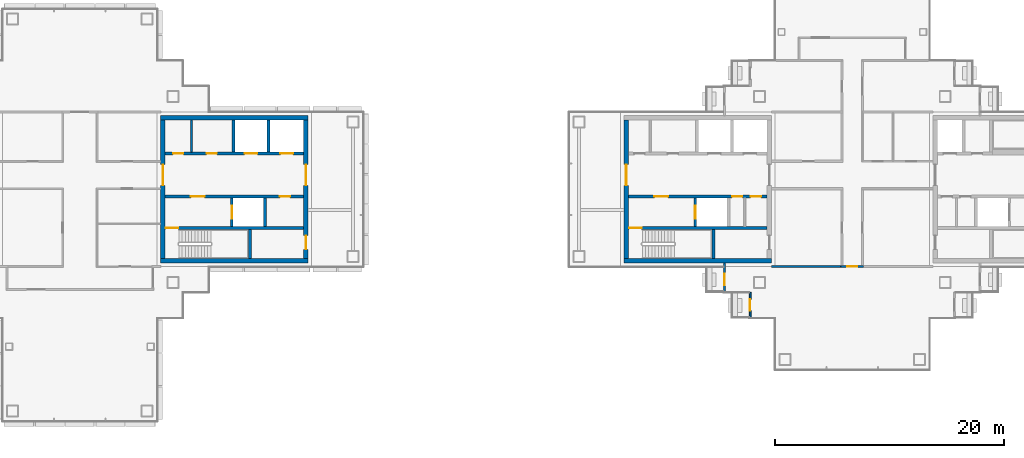
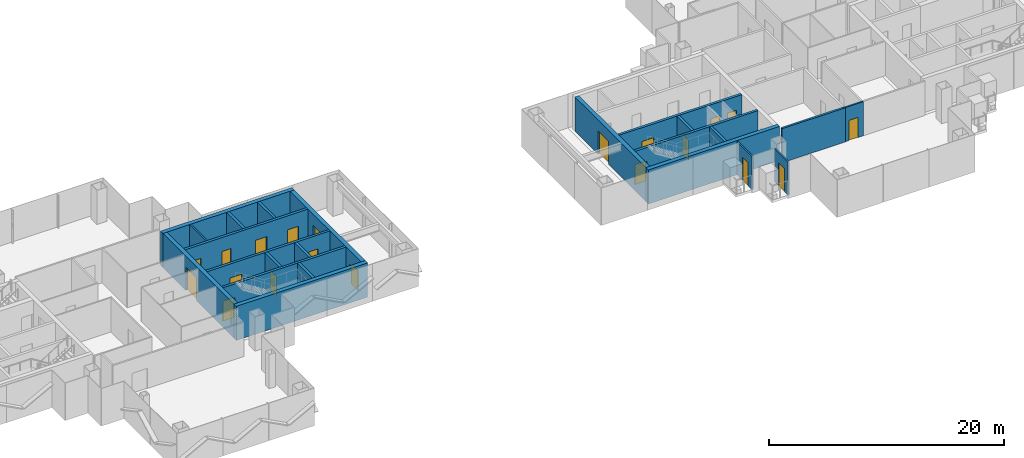
# One storey, part 10 of 17: 23 walls, 20 doors, 20 openings.
"""IFC4 building model written with IfcOpenShell, lengths in metres."""

from ifc_helpers import new_model, si_unit, direction, frame, frame_2d, origin, place, context, subcontext, project, spatial, rectangle, extrude, material, layer, layer_set, type_object, element, fill, save


model = new_model("IFC4")

# Units and contexts
model_context = context("Model", 3, precision=1e-05, world=origin(), true_north=direction((0.0, 1.0)))
body_context = subcontext(model_context, "Body", "Model", "MODEL_VIEW")
ifc_project = project(units=[si_unit("LENGTHUNIT", "METRE"), si_unit("AREAUNIT", "SQUARE_METRE"), si_unit("VOLUMEUNIT", "CUBIC_METRE"), si_unit("PLANEANGLEUNIT", "RADIAN"), si_unit("MASSUNIT", "GRAM", prefix="KILO")], contexts=[model_context])

# Site, building, storey
site_placement = place(None, origin())
site = spatial("IfcSite", under=ifc_project, at=site_placement, CompositionType="ELEMENT")
building_placement = place(site_placement, origin())
building = spatial("IfcBuilding", under=site, at=building_placement, Name="Shamsa Quay Exchange Towers", CompositionType="ELEMENT")
storey_placement = place(building_placement, frame((0.0, 0.0, 194.39990234375)))
storey = spatial("IfcBuildingStorey", under=building, at=storey_placement, Name="L46", CompositionType="ELEMENT", Elevation=194.39990234375)

# Wall, opening, door
ifc_material_1 = material(Name="Aluminium EN AW-6063 T6, black anodised, with black enamelled glass infill", Category="aluminium")
ifc_layer_1 = layer(ifc_material_1, 0.14990234375)
ifc_layer_set_1 = layer_set([ifc_layer_1], Name="BALCONY DOOR BAY WALL 150")
wall_type_1 = type_object("IfcWallType", Name="BALCONY DOOR BAY WALL 150", PredefinedType="SOLIDWALL", material=ifc_layer_set_1)
wall_1_placement = place(storey_placement, frame((22.574951171875, -9.0, 0.0), z_axis=(0.0, 0.0, 1.0), x_axis=(0.0, 1.0, 0.0)))
wall_1 = element("IfcWall", 1, at=wall_1_placement, inside=storey, type_object=wall_type_1, Name="Door bay T2-PKWN L46", PredefinedType="SOLIDWALL", context=body_context, shape_type="SweptSolid", body=[
    extrude(rectangle(XDim=2.556884765625, YDim=0.14990234375, at=frame_2d((1.2783203125, 0.0))), origin(), (0.0, 0.0, 1.0), 3.4501953125),
])
opening_1_placement = place(wall_1_placement, frame((0.625, 0.0, 0.0)))
opening_1 = element("IfcOpeningElement", 2, at=opening_1_placement, cuts=wall_1, Name="Opening XD301", PredefinedType="OPENING", context=body_context, shape_type="SweptSolid", body=[
    extrude(rectangle(XDim=1.0, YDim=2.39990234375, at=frame_2d((0.5, 1.199951171875))), frame((0.0, 0.0849609375, 0.0), z_axis=(0.0, -1.0, 0.0), x_axis=(1.0, 0.0, 0.0)), (0.0, 0.0, 1.0), 0.169921875),
])
ifc_material_2 = material(Name="Aluminium EN AW-6063 T6, black anodised, with laminated glass leaf", Category="aluminium")
door_type_1 = type_object("IfcDoorType", Name="BALCONY DOOR 1000x2400", OperationType="SINGLE_SWING_LEFT", PredefinedType="DOOR", material=ifc_material_2)
door_1_placement = place(opening_1_placement, origin())
door_1 = element("IfcDoor", 3, at=door_1_placement, inside=storey, type_object=door_type_1, Name="Balcony door T2-PKWN L46", OperationType="SINGLE_SWING_LEFT", OverallHeight=2.39990234375, OverallWidth=1.0, PredefinedType="DOOR", context=body_context, shape_type="SweptSolid", body=[
    extrude(rectangle(XDim=1.0, YDim=2.39990234375, at=frame_2d((0.5, 1.199951171875))), frame((0.0, 0.02490234375, 0.0), z_axis=(0.0, -1.0, 0.0), x_axis=(1.0, 0.0, 0.0)), (0.0, 0.0, 1.0), 0.050048828125),
])
fill(opening_1, door_1)

wall_2_placement = place(storey_placement, frame((24.824951171875, -11.25, 0.0), z_axis=(0.0, 0.0, 1.0), x_axis=(0.0, 1.0, 0.0)))
wall_2 = element("IfcWall", 4, at=wall_2_placement, inside=storey, type_object=wall_type_1, Name="Door bay T2-PKWN L46", PredefinedType="SOLIDWALL", context=body_context, shape_type="SweptSolid", body=[
    extrude(rectangle(XDim=2.25, YDim=0.14990234375, at=frame_2d((1.125, 0.0))), origin(), (0.0, 0.0, 1.0), 3.4501953125),
])
opening_2_placement = place(wall_2_placement, frame((0.625, 0.0, 0.0)))
opening_2 = element("IfcOpeningElement", 5, at=opening_2_placement, cuts=wall_2, Name="Opening XD302", PredefinedType="OPENING", context=body_context, shape_type="SweptSolid", body=[
    extrude(rectangle(XDim=1.0, YDim=2.39990234375, at=frame_2d((0.5, 1.199951171875))), frame((0.0, 0.0849609375, 0.0), z_axis=(0.0, -1.0, 0.0), x_axis=(1.0, 0.0, 0.0)), (0.0, 0.0, 1.0), 0.169921875),
])
door_2_placement = place(opening_2_placement, origin())
door_2 = element("IfcDoor", 6, at=door_2_placement, inside=storey, type_object=door_type_1, Name="Balcony door T2-PKWN L46", OperationType="SINGLE_SWING_RIGHT", OverallHeight=2.39990234375, OverallWidth=1.0, PredefinedType="DOOR", context=body_context, shape_type="SweptSolid", body=[
    extrude(rectangle(XDim=1.0, YDim=2.39990234375, at=frame_2d((0.5, 1.199951171875))), frame((0.0, 0.02490234375, 0.0), z_axis=(0.0, -1.0, 0.0), x_axis=(1.0, 0.0, 0.0)), (0.0, 0.0, 1.0), 0.050048828125),
])
fill(opening_2, door_2)

# Walls
ifc_material_3 = material(Name="Concrete C60/75", Category="concrete")
ifc_layer_2 = layer(ifc_material_3, 0.39990234375)
ifc_layer_set_2 = layer_set([ifc_layer_2], Name="CORE WALL 400 C60/75")
wall_type_2 = type_object("IfcWallType", Name="CORE WALL 400 C60/75", PredefinedType="SHEAR", material=ifc_layer_set_2)
for number, where, name in (
    (7, (-26.699951171875, -6.25, 0.0), "Core wall T1A-R21-PS"),
    (8, (-26.699951171875, 6.25, 0.0), "Core wall T1A-R21-PN"),
):
    element("IfcWall", number, at=place(storey_placement, frame(where)), inside=storey, type_object=wall_type_2, Name=name, PredefinedType="SHEAR", context=body_context, shape_type="SweptSolid", body=[
        extrude(rectangle(XDim=12.89990234375, YDim=0.39990234375, at=frame_2d((6.449951171875, 0.0))), origin(), (0.0, 0.0, 1.0), 3.550048828125),
    ])

# Wall, opening, door
wall_3_placement = place(storey_placement, frame((-26.5, 6.050048828125, 0.0), z_axis=(0.0, 0.0, 1.0), x_axis=(0.0, -1.0, 0.0)))
wall_3 = element("IfcWall", 9, at=wall_3_placement, inside=storey, type_object=wall_type_2, Name="Core wall T1A-R21-PF", PredefinedType="SHEAR", context=body_context, shape_type="SweptSolid", body=[
    extrude(rectangle(XDim=12.10009765625, YDim=0.39990234375, at=frame_2d((6.050048828125, 0.0))), origin(), (0.0, 0.0, 1.0), 3.550048828125),
])
opening_3_placement = place(wall_3_placement, frame((3.89990234375, 0.0, 0.0)))
opening_3 = element("IfcOpeningElement", 10, at=opening_3_placement, cuts=wall_3, Name="Opening T1A-R21-LBD01", PredefinedType="OPENING", context=body_context, shape_type="SweptSolid", body=[
    extrude(rectangle(XDim=1.800048828125, YDim=2.39990234375, at=frame_2d((0.89990234375, 1.199951171875))), frame((0.0, 0.2099609375, 0.0), z_axis=(0.0, -1.0, 0.0), x_axis=(1.0, 0.0, 0.0)), (0.0, 0.0, 1.0), 0.419921875),
])
ifc_material_4 = material(Name="Steel, fire rated", Category="steel")
door_type_2 = type_object("IfcDoorType", Name="LIFT LOBBY DOOR PAIR 1800", OperationType="DOUBLE_DOOR_SINGLE_SWING", PredefinedType="DOOR", material=ifc_material_4)
door_3_placement = place(opening_3_placement, origin())
door_3 = element("IfcDoor", 11, at=door_3_placement, inside=storey, type_object=door_type_2, Name="T1A-R21-LBD01", OperationType="DOUBLE_DOOR_SINGLE_SWING", OverallHeight=2.39990234375, OverallWidth=1.800048828125, PredefinedType="DOOR", context=body_context, shape_type="SweptSolid", body=[
    extrude(rectangle(XDim=1.800048828125, YDim=2.39990234375, at=frame_2d((0.89990234375, 1.199951171875))), frame((0.0, 0.02490234375, 0.0), z_axis=(0.0, -1.0, 0.0), x_axis=(1.0, 0.0, 0.0)), (0.0, 0.0, 1.0), 0.050048828125),
])
fill(opening_3, door_3)

# Wall, openings, doors
wall_4_placement = place(storey_placement, frame((-14.0, 6.050048828125, 0.0), z_axis=(0.0, 0.0, 1.0), x_axis=(0.0, -1.0, 0.0)))
wall_4 = element("IfcWall", 12, at=wall_4_placement, inside=storey, type_object=wall_type_2, Name="Core wall T1A-R21-PB", PredefinedType="SHEAR", context=body_context, shape_type="SweptSolid", body=[
    extrude(rectangle(XDim=12.10009765625, YDim=0.39990234375, at=frame_2d((6.050048828125, 0.0))), origin(), (0.0, 0.0, 1.0), 3.550048828125),
])
opening_4_placement = place(wall_4_placement, frame((10.10009765625, 0.0, 0.0)))
opening_4 = element("IfcOpeningElement", 13, at=opening_4_placement, cuts=wall_4, Name="Opening T1A-R21-RD02", PredefinedType="OPENING", context=body_context, shape_type="SweptSolid", body=[
    extrude(rectangle(XDim=1.199951171875, YDim=2.10009765625, at=frame_2d((0.60009765625, 1.050048828125))), frame((0.0, 0.2099609375, 0.0), z_axis=(0.0, -1.0, 0.0), x_axis=(1.0, 0.0, 0.0)), (0.0, 0.0, 1.0), 0.419921875),
])
opening_5_placement = place(wall_4_placement, frame((3.89990234375, 0.0, 0.0)))
opening_5 = element("IfcOpeningElement", 14, at=opening_5_placement, cuts=wall_4, Name="Opening T1A-R21-LBD03", PredefinedType="OPENING", context=body_context, shape_type="SweptSolid", body=[
    extrude(rectangle(XDim=1.800048828125, YDim=2.39990234375, at=frame_2d((0.89990234375, 1.199951171875))), frame((0.0, 0.2099609375, 0.0), z_axis=(0.0, -1.0, 0.0), x_axis=(1.0, 0.0, 0.0)), (0.0, 0.0, 1.0), 0.419921875),
])
door_4_placement = place(opening_5_placement, origin())
door_4 = element("IfcDoor", 15, at=door_4_placement, inside=storey, type_object=door_type_2, Name="T1A-R21-LBD03", OperationType="DOUBLE_DOOR_SINGLE_SWING", OverallHeight=2.39990234375, OverallWidth=1.800048828125, PredefinedType="DOOR", context=body_context, shape_type="SweptSolid", body=[
    extrude(rectangle(XDim=1.800048828125, YDim=2.39990234375, at=frame_2d((0.89990234375, 1.199951171875))), frame((0.0, 0.02490234375, 0.0), z_axis=(0.0, -1.0, 0.0), x_axis=(1.0, 0.0, 0.0)), (0.0, 0.0, 1.0), 0.050048828125),
])
fill(opening_5, door_4)
door_type_3 = type_object("IfcDoorType", Name="RISER ACCESS DOOR 1200", OperationType="SINGLE_SWING_LEFT", PredefinedType="DOOR", material=ifc_material_4)
door_5_placement = place(opening_4_placement, origin())
door_5 = element("IfcDoor", 16, at=door_5_placement, inside=storey, type_object=door_type_3, Name="T1A-R21-RD02", OperationType="SINGLE_SWING_RIGHT", OverallHeight=2.10009765625, OverallWidth=1.199951171875, PredefinedType="DOOR", context=body_context, shape_type="SweptSolid", body=[
    extrude(rectangle(XDim=1.199951171875, YDim=2.10009765625, at=frame_2d((0.60009765625, 1.050048828125))), frame((0.0, 0.02490234375, 0.0), z_axis=(0.0, -1.0, 0.0), x_axis=(1.0, 0.0, 0.0)), (0.0, 0.0, 1.0), 0.050048828125),
])
fill(opening_4, door_5)

# Wall
wall_5_placement = place(storey_placement, frame((13.800048828125, -6.25, 0.0)))
element("IfcWall", 17, at=wall_5_placement, inside=storey, type_object=wall_type_2, Name="Core wall T2A-R21-PS", PredefinedType="SHEAR", context=body_context, shape_type="SweptSolid", body=[
    extrude(rectangle(XDim=12.89990234375, YDim=0.39990234375, at=frame_2d((6.449951171875, 0.0))), origin(), (0.0, 0.0, 1.0), 3.550048828125),
])

# Wall, opening, door
wall_6_placement = place(storey_placement, frame((14.0, 6.050048828125, 0.0), z_axis=(0.0, 0.0, 1.0), x_axis=(0.0, -1.0, 0.0)))
wall_6 = element("IfcWall", 18, at=wall_6_placement, inside=storey, type_object=wall_type_2, Name="Core wall T2A-R21-PF", PredefinedType="SHEAR", context=body_context, shape_type="SweptSolid", body=[
    extrude(rectangle(XDim=12.10009765625, YDim=0.39990234375, at=frame_2d((6.050048828125, 0.0))), origin(), (0.0, 0.0, 1.0), 3.550048828125),
])
opening_6_placement = place(wall_6_placement, frame((3.89990234375, 0.0, 0.0)))
opening_6 = element("IfcOpeningElement", 19, at=opening_6_placement, cuts=wall_6, Name="Opening T2A-R21-LBD01", PredefinedType="OPENING", context=body_context, shape_type="SweptSolid", body=[
    extrude(rectangle(XDim=1.800048828125, YDim=2.39990234375, at=frame_2d((0.89990234375, 1.199951171875))), frame((0.0, 0.2099609375, 0.0), z_axis=(0.0, -1.0, 0.0), x_axis=(1.0, 0.0, 0.0)), (0.0, 0.0, 1.0), 0.419921875),
])
door_6_placement = place(opening_6_placement, origin())
door_6 = element("IfcDoor", 20, at=door_6_placement, inside=storey, type_object=door_type_2, Name="T2A-R21-LBD01", OperationType="DOUBLE_DOOR_SINGLE_SWING", OverallHeight=2.39990234375, OverallWidth=1.800048828125, PredefinedType="DOOR", context=body_context, shape_type="SweptSolid", body=[
    extrude(rectangle(XDim=1.800048828125, YDim=2.39990234375, at=frame_2d((0.89990234375, 1.199951171875))), frame((0.0, 0.02490234375, 0.0), z_axis=(0.0, -1.0, 0.0), x_axis=(1.0, 0.0, 0.0)), (0.0, 0.0, 1.0), 0.050048828125),
])
fill(opening_6, door_6)

# Wall
ifc_material_5 = material(Name="Gypsum board on steel studs, EI 60", Category="steel")
ifc_layer_3 = layer(ifc_material_5, 0.14990234375)
ifc_layer_set_3 = layer_set([ifc_layer_3], Name="FIRE PARTITION 150")
wall_type_3 = type_object("IfcWallType", Name="FIRE PARTITION 150", PredefinedType="PARTITIONING", material=ifc_layer_set_3)
wall_7_placement = place(storey_placement, frame((-24.0, 3.25, 0.0), z_axis=(0.0, 0.0, 1.0), x_axis=(0.0, 1.0, 0.0)))
element("IfcWall", 21, at=wall_7_placement, inside=storey, type_object=wall_type_3, Name="Partition T1A-R21-FC0", PredefinedType="PARTITIONING", context=body_context, shape_type="SweptSolid", body=[
    extrude(rectangle(XDim=2.800048828125, YDim=0.14990234375, at=frame_2d((1.39990234375, 0.0))), origin(), (0.0, 0.0, 1.0), 3.550048828125),
])

# Wall, opening, door
ifc_material_6 = material(Name="Gypsum board partition on metal studs")
ifc_layer_4 = layer(ifc_material_6, 0.14990234375)
ifc_layer_set_4 = layer_set([ifc_layer_4], Name="Partition 150 mm EI 60")
wall_type_4 = type_object("IfcWallType", Name="Partition 150 mm EI 60", PredefinedType="PARTITIONING", material=ifc_layer_set_4)
wall_8_placement = place(storey_placement, frame((34.725341796875, -6.75, 0.0), z_axis=(0.0, 0.0, 1.0), x_axis=(-1.0, 0.0, 0.0)))
wall_8 = element("IfcWall", 22, at=wall_8_placement, inside=storey, type_object=wall_type_4, Name="Partition T2-R21-W16", PredefinedType="PARTITIONING", context=body_context, shape_type="SweptSolid", body=[
    extrude(rectangle(XDim=1.975830078125, YDim=0.14990234375, at=frame_2d((0.98779296875, 0.0))), origin(), (0.0, 0.0, 1.0), 3.550048828125),
])
opening_7_placement = place(wall_8_placement, frame((0.525390625, 0.0, 0.0)))
opening_7 = element("IfcOpeningElement", 23, at=opening_7_placement, cuts=wall_8, Name="Opening T2-R21-D06", PredefinedType="OPENING", context=body_context, shape_type="SweptSolid", body=[
    extrude(rectangle(XDim=0.89990234375, YDim=2.10009765625, at=frame_2d((0.449951171875, 1.050048828125))), frame((0.0, 0.0849609375, 0.0), z_axis=(0.0, -1.0, 0.0), x_axis=(1.0, 0.0, 0.0)), (0.0, 0.0, 1.0), 0.169921875),
])
ifc_material_7 = material(Name="Timber door leaf in a metal frame", Category="wood")
door_type_4 = type_object("IfcDoorType", Name="Door 900x2100 FD30S", OperationType="NOTDEFINED", PredefinedType="DOOR", material=ifc_material_7)
door_7_placement = place(opening_7_placement, origin())
door_7 = element("IfcDoor", 24, at=door_7_placement, inside=storey, type_object=door_type_4, Name="Door T2-R21-D06", OperationType="SINGLE_SWING_LEFT", OverallHeight=2.10009765625, OverallWidth=0.89990234375, PredefinedType="DOOR", context=body_context, shape_type="SweptSolid", body=[
    extrude(rectangle(XDim=0.89990234375, YDim=2.10009765625, at=frame_2d((0.449951171875, 1.050048828125))), frame((0.0, 0.02490234375, 0.0), z_axis=(0.0, -1.0, 0.0), x_axis=(1.0, 0.0, 0.0)), (0.0, 0.0, 1.0), 0.050048828125),
])
fill(opening_7, door_7)

# Wall
ifc_layer_5 = layer(ifc_material_6, 0.199951171875)
ifc_layer_set_5 = layer_set([ifc_layer_5], Name="Partition 200 mm EI 120")
wall_type_5 = type_object("IfcWallType", Name="Partition 200 mm EI 120", PredefinedType="PARTITIONING", material=ifc_layer_set_5)
wall_9_placement = place(storey_placement, frame((26.699951171875, -6.75, 0.0)))
element("IfcWall", 25, at=wall_9_placement, inside=storey, type_object=wall_type_5, Name="Partition T2-R21-W18", PredefinedType="PARTITIONING", context=body_context, shape_type="SweptSolid", body=[
    extrude(rectangle(XDim=6.249755859375, YDim=0.199951171875, at=frame_2d((3.125, 0.0))), origin(), (0.0, 0.0, 1.0), 3.550048828125),
])

# Wall, opening, door
ifc_material_8 = material(Name="Concrete C50/60", Category="concrete")
ifc_layer_6 = layer(ifc_material_8, 0.25)
ifc_layer_set_6 = layer_set([ifc_layer_6], Name="SHAFT WALL 250 C50/60")
wall_type_6 = type_object("IfcWallType", Name="SHAFT WALL 250 C50/60", PredefinedType="SHEAR", material=ifc_layer_set_6)
wall_10_placement = place(storey_placement, frame((-14.199951171875, -3.375, 0.0), z_axis=(0.0, 0.0, 1.0), x_axis=(-1.0, 0.0, 0.0)))
wall_10 = element("IfcWall", 26, at=wall_10_placement, inside=storey, type_object=wall_type_6, Name="Shaft wall T1A-R21-STL", PredefinedType="SHEAR", context=body_context, shape_type="SweptSolid", body=[
    extrude(rectangle(XDim=12.10009765625, YDim=0.25, at=frame_2d((6.050048828125, 0.0))), origin(), (0.0, 0.0, 1.0), 3.550048828125),
])
opening_8_placement = place(wall_10_placement, frame((10.949951171875, 0.0, 0.0)))
opening_8 = element("IfcOpeningElement", 27, at=opening_8_placement, cuts=wall_10, Name="Opening T1A-R21-SD04", PredefinedType="OPENING", context=body_context, shape_type="SweptSolid", body=[
    extrude(rectangle(XDim=1.10009765625, YDim=2.10009765625, at=frame_2d((0.550048828125, 1.050048828125))), frame((0.0, 0.135009765625, 0.0), z_axis=(0.0, -1.0, 0.0), x_axis=(1.0, 0.0, 0.0)), (0.0, 0.0, 1.0), 0.27001953125),
])
door_type_5 = type_object("IfcDoorType", Name="STAIR DOOR 1100", OperationType="SINGLE_SWING_LEFT", PredefinedType="DOOR", material=ifc_material_4)
door_8_placement = place(opening_8_placement, origin())
door_8 = element("IfcDoor", 28, at=door_8_placement, inside=storey, type_object=door_type_5, Name="T1A-R21-SD04", OperationType="SINGLE_SWING_RIGHT", OverallHeight=2.10009765625, OverallWidth=1.10009765625, PredefinedType="DOOR", context=body_context, shape_type="SweptSolid", body=[
    extrude(rectangle(XDim=1.10009765625, YDim=2.10009765625, at=frame_2d((0.550048828125, 1.050048828125))), frame((0.0, 0.02490234375, 0.0), z_axis=(0.0, -1.0, 0.0), x_axis=(1.0, 0.0, 0.0)), (0.0, 0.0, 1.0), 0.050048828125),
])
fill(opening_8, door_8)

# Wall
wall_11_placement = place(storey_placement, frame((-18.875, -6.050048828125, 0.0), z_axis=(0.0, 0.0, 1.0), x_axis=(0.0, 1.0, 0.0)))
element("IfcWall", 29, at=wall_11_placement, inside=storey, type_object=wall_type_6, Name="Shaft wall T1A-R21-STF", PredefinedType="SHEAR", context=body_context, shape_type="SweptSolid", body=[
    extrude(rectangle(XDim=2.550048828125, YDim=0.25, at=frame_2d((1.27490234375, 0.0))), origin(), (0.0, 0.0, 1.0), 3.550048828125),
])

# Wall, openings, doors
wall_12_placement = place(storey_placement, frame((-14.199951171875, -0.625, 0.0), z_axis=(0.0, 0.0, 1.0), x_axis=(-1.0, 0.0, 0.0)))
wall_12 = element("IfcWall", 30, at=wall_12_placement, inside=storey, type_object=wall_type_6, Name="Shaft wall T1A-R21-B", PredefinedType="SHEAR", context=body_context, shape_type="SweptSolid", body=[
    extrude(rectangle(XDim=12.10009765625, YDim=0.25, at=frame_2d((6.050048828125, 0.0))), origin(), (0.0, 0.0, 1.0), 3.550048828125),
])
opening_9_placement = place(wall_12_placement, frame((8.64990234375, 0.0, 0.0)))
opening_9 = element("IfcOpeningElement", 31, at=opening_9_placement, cuts=wall_12, Name="Opening T1A-R21-FD05", PredefinedType="OPENING", context=body_context, shape_type="SweptSolid", body=[
    extrude(rectangle(XDim=1.199951171875, YDim=2.10009765625, at=frame_2d((0.60009765625, 1.050048828125))), frame((0.0, 0.135009765625, 0.0), z_axis=(0.0, -1.0, 0.0), x_axis=(1.0, 0.0, 0.0)), (0.0, 0.0, 1.0), 0.27001953125),
])
opening_10_placement = place(wall_12_placement, frame((1.175048828125, 0.0, 0.0)))
opening_10 = element("IfcOpeningElement", 32, at=opening_10_placement, cuts=wall_12, Name="Opening T1A-R21-SV06", PredefinedType="OPENING", context=body_context, shape_type="SweptSolid", body=[
    extrude(rectangle(XDim=0.89990234375, YDim=2.10009765625, at=frame_2d((0.449951171875, 1.050048828125))), frame((0.0, 0.135009765625, 0.0), z_axis=(0.0, -1.0, 0.0), x_axis=(1.0, 0.0, 0.0)), (0.0, 0.0, 1.0), 0.27001953125),
])
door_type_6 = type_object("IfcDoorType", Name="FIRE SERVICE LOBBY DOOR 1200", OperationType="SINGLE_SWING_LEFT", PredefinedType="DOOR", material=ifc_material_4)
door_9_placement = place(opening_9_placement, origin())
door_9 = element("IfcDoor", 33, at=door_9_placement, inside=storey, type_object=door_type_6, Name="T1A-R21-FD05", OperationType="SINGLE_SWING_RIGHT", OverallHeight=2.10009765625, OverallWidth=1.199951171875, PredefinedType="DOOR", context=body_context, shape_type="SweptSolid", body=[
    extrude(rectangle(XDim=1.199951171875, YDim=2.10009765625, at=frame_2d((0.60009765625, 1.050048828125))), frame((0.0, 0.02490234375, 0.0), z_axis=(0.0, -1.0, 0.0), x_axis=(1.0, 0.0, 0.0)), (0.0, 0.0, 1.0), 0.050048828125),
])
fill(opening_9, door_9)
door_type_7 = type_object("IfcDoorType", Name="SERVICE ROOM DOOR 900", OperationType="SINGLE_SWING_LEFT", PredefinedType="DOOR", material=ifc_material_4)
door_10_placement = place(opening_10_placement, origin())
door_10 = element("IfcDoor", 34, at=door_10_placement, inside=storey, type_object=door_type_7, Name="T1A-R21-SV06", OperationType="SINGLE_SWING_LEFT", OverallHeight=2.10009765625, OverallWidth=0.89990234375, PredefinedType="DOOR", context=body_context, shape_type="SweptSolid", body=[
    extrude(rectangle(XDim=0.89990234375, YDim=2.10009765625, at=frame_2d((0.449951171875, 1.050048828125))), frame((0.0, 0.02490234375, 0.0), z_axis=(0.0, -1.0, 0.0), x_axis=(1.0, 0.0, 0.0)), (0.0, 0.0, 1.0), 0.050048828125),
])
fill(opening_10, door_10)

# Wall, opening, door
wall_13_placement = place(storey_placement, frame((-20.47509765625, -3.25, 0.0), z_axis=(0.0, 0.0, 1.0), x_axis=(0.0, 1.0, 0.0)))
wall_13 = element("IfcWall", 35, at=wall_13_placement, inside=storey, type_object=wall_type_6, Name="Shaft wall T1A-R21-FFF", PredefinedType="SHEAR", context=body_context, shape_type="SweptSolid", body=[
    extrude(rectangle(XDim=2.5, YDim=0.25, at=frame_2d((1.25, 0.0))), origin(), (0.0, 0.0, 1.0), 3.550048828125),
])
opening_11_placement = place(wall_13_placement, frame((0.699951171875, 0.0, 0.0)))
opening_11 = element("IfcOpeningElement", 36, at=opening_11_placement, cuts=wall_13, Name="Opening T1A-R21-LDF07", PredefinedType="OPENING", context=body_context, shape_type="SweptSolid", body=[
    extrude(rectangle(XDim=1.10009765625, YDim=2.10009765625, at=frame_2d((0.550048828125, 1.050048828125))), frame((0.0, 0.135009765625, 0.0), z_axis=(0.0, -1.0, 0.0), x_axis=(1.0, 0.0, 0.0)), (0.0, 0.0, 1.0), 0.27001953125),
])
door_type_8 = type_object("IfcDoorType", Name="FIRE SERVICE LANDING DOOR 1100", OperationType="SLIDING_TO_LEFT", PredefinedType="DOOR", material=ifc_material_4)
door_11_placement = place(opening_11_placement, origin())
door_11 = element("IfcDoor", 37, at=door_11_placement, inside=storey, type_object=door_type_8, Name="T1A-R21-LDF07", OperationType="SLIDING_TO_LEFT", OverallHeight=2.10009765625, OverallWidth=1.10009765625, PredefinedType="DOOR", context=body_context, shape_type="SweptSolid", body=[
    extrude(rectangle(XDim=1.10009765625, YDim=2.10009765625, at=frame_2d((0.550048828125, 1.050048828125))), frame((0.0, 0.02490234375, 0.0), z_axis=(0.0, -1.0, 0.0), x_axis=(1.0, 0.0, 0.0)), (0.0, 0.0, 1.0), 0.050048828125),
])
fill(opening_11, door_11)

# Wall
wall_14_placement = place(storey_placement, frame((-17.574951171875, -3.25, 0.0), z_axis=(0.0, 0.0, 1.0), x_axis=(0.0, 1.0, 0.0)))
element("IfcWall", 38, at=wall_14_placement, inside=storey, type_object=wall_type_6, Name="Shaft wall T1A-R21-FFB", PredefinedType="SHEAR", context=body_context, shape_type="SweptSolid", body=[
    extrude(rectangle(XDim=2.5, YDim=0.25, at=frame_2d((1.25, 0.0))), origin(), (0.0, 0.0, 1.0), 3.550048828125),
])

# Wall, openings, doors
wall_15_placement = place(storey_placement, frame((-26.300048828125, 3.125, 0.0)))
wall_15 = element("IfcWall", 39, at=wall_15_placement, inside=storey, type_object=wall_type_6, Name="Shaft wall T1A-R21-N", PredefinedType="SHEAR", context=body_context, shape_type="SweptSolid", body=[
    extrude(rectangle(XDim=12.10009765625, YDim=0.25, at=frame_2d((6.050048828125, 0.0))), origin(), (0.0, 0.0, 1.0), 3.550048828125),
])
opening_12_placement = place(wall_15_placement, frame((6.949951171875, 0.0, 0.0)))
opening_12 = element("IfcOpeningElement", 40, at=opening_12_placement, cuts=wall_15, Name="Opening T1A-R21-LD08", PredefinedType="OPENING", context=body_context, shape_type="SweptSolid", body=[
    extrude(rectangle(XDim=1.10009765625, YDim=2.10009765625, at=frame_2d((0.550048828125, 1.050048828125))), frame((0.0, 0.135009765625, 0.0), z_axis=(0.0, -1.0, 0.0), x_axis=(1.0, 0.0, 0.0)), (0.0, 0.0, 1.0), 0.27001953125),
])
opening_13_placement = place(wall_15_placement, frame((10.074951171875, 0.0, 0.0)))
opening_13 = element("IfcOpeningElement", 41, at=opening_13_placement, cuts=wall_15, Name="Opening T1A-R21-LD09", PredefinedType="OPENING", context=body_context, shape_type="SweptSolid", body=[
    extrude(rectangle(XDim=1.10009765625, YDim=2.10009765625, at=frame_2d((0.550048828125, 1.050048828125))), frame((0.0, 0.135009765625, 0.0), z_axis=(0.0, -1.0, 0.0), x_axis=(1.0, 0.0, 0.0)), (0.0, 0.0, 1.0), 0.27001953125),
])
opening_14_placement = place(wall_15_placement, frame((0.699951171875, 0.0, 0.0)))
opening_14 = element("IfcOpeningElement", 42, at=opening_14_placement, cuts=wall_15, Name="Opening T1A-R21-SV10", PredefinedType="OPENING", context=body_context, shape_type="SweptSolid", body=[
    extrude(rectangle(XDim=0.89990234375, YDim=2.10009765625, at=frame_2d((0.449951171875, 1.050048828125))), frame((0.0, 0.135009765625, 0.0), z_axis=(0.0, -1.0, 0.0), x_axis=(1.0, 0.0, 0.0)), (0.0, 0.0, 1.0), 0.27001953125),
])
opening_15_placement = place(wall_15_placement, frame((3.625, 0.0, 0.0)))
opening_15 = element("IfcOpeningElement", 43, at=opening_15_placement, cuts=wall_15, Name="Opening T1A-R21-SV11", PredefinedType="OPENING", context=body_context, shape_type="SweptSolid", body=[
    extrude(rectangle(XDim=0.89990234375, YDim=2.10009765625, at=frame_2d((0.449951171875, 1.050048828125))), frame((0.0, 0.135009765625, 0.0), z_axis=(0.0, -1.0, 0.0), x_axis=(1.0, 0.0, 0.0)), (0.0, 0.0, 1.0), 0.27001953125),
])
door_type_9 = type_object("IfcDoorType", Name="LANDING DOOR 1100", OperationType="SLIDING_TO_LEFT", PredefinedType="DOOR", material=ifc_material_4)
door_12_placement = place(opening_12_placement, origin())
door_12 = element("IfcDoor", 44, at=door_12_placement, inside=storey, type_object=door_type_9, Name="T1A-R21-LD08", OperationType="SLIDING_TO_LEFT", OverallHeight=2.10009765625, OverallWidth=1.10009765625, PredefinedType="DOOR", context=body_context, shape_type="SweptSolid", body=[
    extrude(rectangle(XDim=1.10009765625, YDim=2.10009765625, at=frame_2d((0.550048828125, 1.050048828125))), frame((0.0, 0.02490234375, 0.0), z_axis=(0.0, -1.0, 0.0), x_axis=(1.0, 0.0, 0.0)), (0.0, 0.0, 1.0), 0.050048828125),
])
fill(opening_12, door_12)
door_13_placement = place(opening_13_placement, origin())
door_13 = element("IfcDoor", 45, at=door_13_placement, inside=storey, type_object=door_type_9, Name="T1A-R21-LD09", OperationType="SLIDING_TO_LEFT", OverallHeight=2.10009765625, OverallWidth=1.10009765625, PredefinedType="DOOR", context=body_context, shape_type="SweptSolid", body=[
    extrude(rectangle(XDim=1.10009765625, YDim=2.10009765625, at=frame_2d((0.550048828125, 1.050048828125))), frame((0.0, 0.02490234375, 0.0), z_axis=(0.0, -1.0, 0.0), x_axis=(1.0, 0.0, 0.0)), (0.0, 0.0, 1.0), 0.050048828125),
])
fill(opening_13, door_13)
door_14_placement = place(opening_14_placement, origin())
door_14 = element("IfcDoor", 46, at=door_14_placement, inside=storey, type_object=door_type_7, Name="T1A-R21-SV10", OperationType="SINGLE_SWING_LEFT", OverallHeight=2.10009765625, OverallWidth=0.89990234375, PredefinedType="DOOR", context=body_context, shape_type="SweptSolid", body=[
    extrude(rectangle(XDim=0.89990234375, YDim=2.10009765625, at=frame_2d((0.449951171875, 1.050048828125))), frame((0.0, 0.02490234375, 0.0), z_axis=(0.0, -1.0, 0.0), x_axis=(1.0, 0.0, 0.0)), (0.0, 0.0, 1.0), 0.050048828125),
])
fill(opening_14, door_14)
door_15_placement = place(opening_15_placement, origin())
door_15 = element("IfcDoor", 47, at=door_15_placement, inside=storey, type_object=door_type_7, Name="T1A-R21-SV11", OperationType="SINGLE_SWING_LEFT", OverallHeight=2.10009765625, OverallWidth=0.89990234375, PredefinedType="DOOR", context=body_context, shape_type="SweptSolid", body=[
    extrude(rectangle(XDim=0.89990234375, YDim=2.10009765625, at=frame_2d((0.449951171875, 1.050048828125))), frame((0.0, 0.02490234375, 0.0), z_axis=(0.0, -1.0, 0.0), x_axis=(1.0, 0.0, 0.0)), (0.0, 0.0, 1.0), 0.050048828125),
])
fill(opening_15, door_15)

# Walls
for number, where, z_axis, x_axis, name in (
    (48, (-20.324951171875, 3.25, 0.0), (0.0, 0.0, 1.0), (0.0, 1.0, 0.0), "Shaft wall T1A-R21-D1"),
    (49, (-17.27490234375, 3.25, 0.0), (0.0, 0.0, 1.0), (0.0, 1.0, 0.0), "Shaft wall T1A-R21-D2"),
):
    element("IfcWall", number, at=place(storey_placement, frame(where, z_axis=z_axis, x_axis=x_axis)), inside=storey, type_object=wall_type_6, Name=name, PredefinedType="SHEAR", context=body_context, shape_type="SweptSolid", body=[
        extrude(rectangle(XDim=2.800048828125, YDim=0.25, at=frame_2d((1.39990234375, 0.0))), origin(), (0.0, 0.0, 1.0), 3.550048828125),
    ])

# Wall, opening, door
wall_16_placement = place(storey_placement, frame((26.300048828125, -3.375, 0.0), z_axis=(0.0, 0.0, 1.0), x_axis=(-1.0, 0.0, 0.0)))
wall_16 = element("IfcWall", 50, at=wall_16_placement, inside=storey, type_object=wall_type_6, Name="Shaft wall T2A-R21-STL", PredefinedType="SHEAR", context=body_context, shape_type="SweptSolid", body=[
    extrude(rectangle(XDim=12.10009765625, YDim=0.25, at=frame_2d((6.050048828125, 0.0))), origin(), (0.0, 0.0, 1.0), 3.550048828125),
])
opening_16_placement = place(wall_16_placement, frame((10.949951171875, 0.0, 0.0)))
opening_16 = element("IfcOpeningElement", 51, at=opening_16_placement, cuts=wall_16, Name="Opening T2A-R21-SD04", PredefinedType="OPENING", context=body_context, shape_type="SweptSolid", body=[
    extrude(rectangle(XDim=1.10009765625, YDim=2.10009765625, at=frame_2d((0.550048828125, 1.050048828125))), frame((0.0, 0.135009765625, 0.0), z_axis=(0.0, -1.0, 0.0), x_axis=(1.0, 0.0, 0.0)), (0.0, 0.0, 1.0), 0.27001953125),
])
door_16_placement = place(opening_16_placement, origin())
door_16 = element("IfcDoor", 52, at=door_16_placement, inside=storey, type_object=door_type_5, Name="T2A-R21-SD04", OperationType="SINGLE_SWING_RIGHT", OverallHeight=2.10009765625, OverallWidth=1.10009765625, PredefinedType="DOOR", context=body_context, shape_type="SweptSolid", body=[
    extrude(rectangle(XDim=1.10009765625, YDim=2.10009765625, at=frame_2d((0.550048828125, 1.050048828125))), frame((0.0, 0.02490234375, 0.0), z_axis=(0.0, -1.0, 0.0), x_axis=(1.0, 0.0, 0.0)), (0.0, 0.0, 1.0), 0.050048828125),
])
fill(opening_16, door_16)

# Wall
wall_17_placement = place(storey_placement, frame((21.625, -6.050048828125, 0.0), z_axis=(0.0, 0.0, 1.0), x_axis=(0.0, 1.0, 0.0)))
element("IfcWall", 53, at=wall_17_placement, inside=storey, type_object=wall_type_6, Name="Shaft wall T2A-R21-STF", PredefinedType="SHEAR", context=body_context, shape_type="SweptSolid", body=[
    extrude(rectangle(XDim=2.550048828125, YDim=0.25, at=frame_2d((1.27490234375, 0.0))), origin(), (0.0, 0.0, 1.0), 3.550048828125),
])

# Wall, openings, doors
wall_18_placement = place(storey_placement, frame((26.300048828125, -0.625, 0.0), z_axis=(0.0, 0.0, 1.0), x_axis=(-1.0, 0.0, 0.0)))
wall_18 = element("IfcWall", 54, at=wall_18_placement, inside=storey, type_object=wall_type_6, Name="Shaft wall T2A-R21-B", PredefinedType="SHEAR", context=body_context, shape_type="SweptSolid", body=[
    extrude(rectangle(XDim=12.10009765625, YDim=0.25, at=frame_2d((6.050048828125, 0.0))), origin(), (0.0, 0.0, 1.0), 3.550048828125),
])
opening_17_placement = place(wall_18_placement, frame((8.64990234375, 0.0, 0.0)))
opening_17 = element("IfcOpeningElement", 55, at=opening_17_placement, cuts=wall_18, Name="Opening T2A-R21-FD05", PredefinedType="OPENING", context=body_context, shape_type="SweptSolid", body=[
    extrude(rectangle(XDim=1.199951171875, YDim=2.10009765625, at=frame_2d((0.60009765625, 1.050048828125))), frame((0.0, 0.135009765625, 0.0), z_axis=(0.0, -1.0, 0.0), x_axis=(1.0, 0.0, 0.0)), (0.0, 0.0, 1.0), 0.27001953125),
])
opening_18_placement = place(wall_18_placement, frame((2.14990234375, 0.0, 0.0)))
opening_18 = element("IfcOpeningElement", 56, at=opening_18_placement, cuts=wall_18, Name="Opening T2A-R21-SV06", PredefinedType="OPENING", context=body_context, shape_type="SweptSolid", body=[
    extrude(rectangle(XDim=0.89990234375, YDim=2.10009765625, at=frame_2d((0.449951171875, 1.050048828125))), frame((0.0, 0.135009765625, 0.0), z_axis=(0.0, -1.0, 0.0), x_axis=(1.0, 0.0, 0.0)), (0.0, 0.0, 1.0), 0.27001953125),
])
opening_19_placement = place(wall_18_placement, frame((0.52490234375, 0.0, 0.0)))
opening_19 = element("IfcOpeningElement", 57, at=opening_19_placement, cuts=wall_18, Name="Opening T2A-R21-SV07", PredefinedType="OPENING", context=body_context, shape_type="SweptSolid", body=[
    extrude(rectangle(XDim=0.89990234375, YDim=2.10009765625, at=frame_2d((0.449951171875, 1.050048828125))), frame((0.0, 0.135009765625, 0.0), z_axis=(0.0, -1.0, 0.0), x_axis=(1.0, 0.0, 0.0)), (0.0, 0.0, 1.0), 0.27001953125),
])
door_17_placement = place(opening_17_placement, origin())
door_17 = element("IfcDoor", 58, at=door_17_placement, inside=storey, type_object=door_type_6, Name="T2A-R21-FD05", OperationType="SINGLE_SWING_RIGHT", OverallHeight=2.10009765625, OverallWidth=1.199951171875, PredefinedType="DOOR", context=body_context, shape_type="SweptSolid", body=[
    extrude(rectangle(XDim=1.199951171875, YDim=2.10009765625, at=frame_2d((0.60009765625, 1.050048828125))), frame((0.0, 0.02490234375, 0.0), z_axis=(0.0, -1.0, 0.0), x_axis=(1.0, 0.0, 0.0)), (0.0, 0.0, 1.0), 0.050048828125),
])
fill(opening_17, door_17)
door_18_placement = place(opening_18_placement, origin())
door_18 = element("IfcDoor", 59, at=door_18_placement, inside=storey, type_object=door_type_7, Name="T2A-R21-SV06", OperationType="SINGLE_SWING_LEFT", OverallHeight=2.10009765625, OverallWidth=0.89990234375, PredefinedType="DOOR", context=body_context, shape_type="SweptSolid", body=[
    extrude(rectangle(XDim=0.89990234375, YDim=2.10009765625, at=frame_2d((0.449951171875, 1.050048828125))), frame((0.0, 0.02490234375, 0.0), z_axis=(0.0, -1.0, 0.0), x_axis=(1.0, 0.0, 0.0)), (0.0, 0.0, 1.0), 0.050048828125),
])
fill(opening_18, door_18)
door_19_placement = place(opening_19_placement, origin())
door_19 = element("IfcDoor", 60, at=door_19_placement, inside=storey, type_object=door_type_7, Name="T2A-R21-SV07", OperationType="SINGLE_SWING_LEFT", OverallHeight=2.10009765625, OverallWidth=0.89990234375, PredefinedType="DOOR", context=body_context, shape_type="SweptSolid", body=[
    extrude(rectangle(XDim=0.89990234375, YDim=2.10009765625, at=frame_2d((0.449951171875, 1.050048828125))), frame((0.0, 0.02490234375, 0.0), z_axis=(0.0, -1.0, 0.0), x_axis=(1.0, 0.0, 0.0)), (0.0, 0.0, 1.0), 0.050048828125),
])
fill(opening_19, door_19)

# Wall, opening, door
wall_19_placement = place(storey_placement, frame((20.02490234375, -3.25, 0.0), z_axis=(0.0, 0.0, 1.0), x_axis=(0.0, 1.0, 0.0)))
wall_19 = element("IfcWall", 61, at=wall_19_placement, inside=storey, type_object=wall_type_6, Name="Shaft wall T2A-R21-FFF", PredefinedType="SHEAR", context=body_context, shape_type="SweptSolid", body=[
    extrude(rectangle(XDim=2.5, YDim=0.25, at=frame_2d((1.25, 0.0))), origin(), (0.0, 0.0, 1.0), 3.550048828125),
])
opening_20_placement = place(wall_19_placement, frame((0.699951171875, 0.0, 0.0)))
opening_20 = element("IfcOpeningElement", 62, at=opening_20_placement, cuts=wall_19, Name="Opening T2A-R21-LDF08", PredefinedType="OPENING", context=body_context, shape_type="SweptSolid", body=[
    extrude(rectangle(XDim=1.10009765625, YDim=2.10009765625, at=frame_2d((0.550048828125, 1.050048828125))), frame((0.0, 0.135009765625, 0.0), z_axis=(0.0, -1.0, 0.0), x_axis=(1.0, 0.0, 0.0)), (0.0, 0.0, 1.0), 0.27001953125),
])
door_20_placement = place(opening_20_placement, origin())
door_20 = element("IfcDoor", 63, at=door_20_placement, inside=storey, type_object=door_type_8, Name="T2A-R21-LDF08", OperationType="SLIDING_TO_LEFT", OverallHeight=2.10009765625, OverallWidth=1.10009765625, PredefinedType="DOOR", context=body_context, shape_type="SweptSolid", body=[
    extrude(rectangle(XDim=1.10009765625, YDim=2.10009765625, at=frame_2d((0.550048828125, 1.050048828125))), frame((0.0, 0.02490234375, 0.0), z_axis=(0.0, -1.0, 0.0), x_axis=(1.0, 0.0, 0.0)), (0.0, 0.0, 1.0), 0.050048828125),
])
fill(opening_20, door_20)

save(model, "model.ifc")
